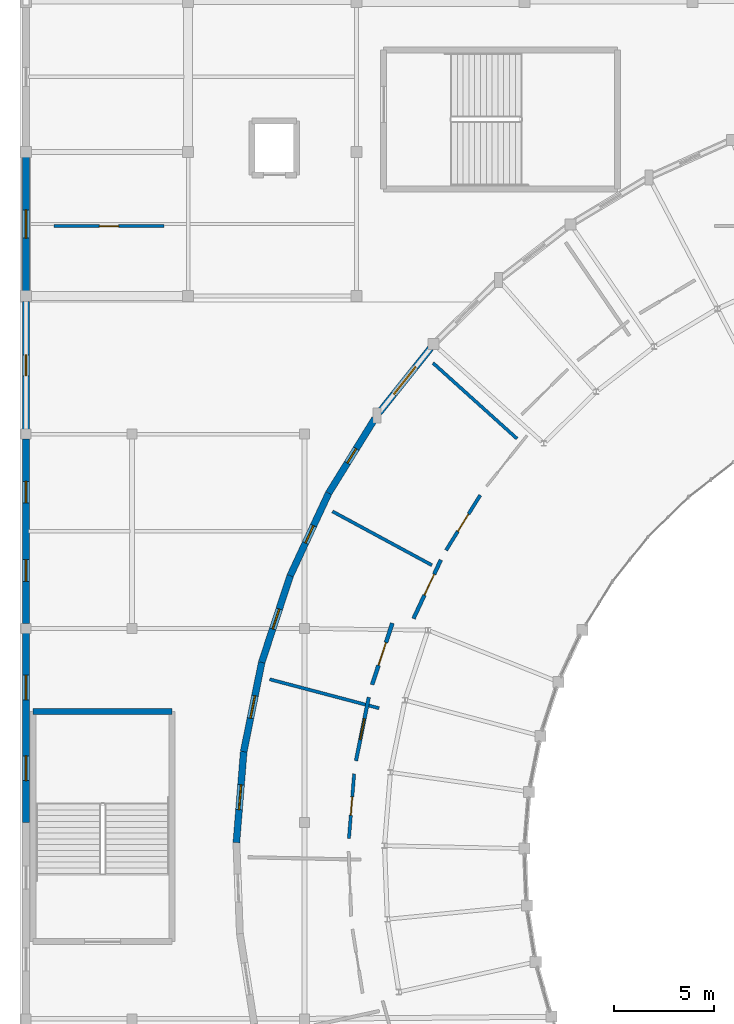
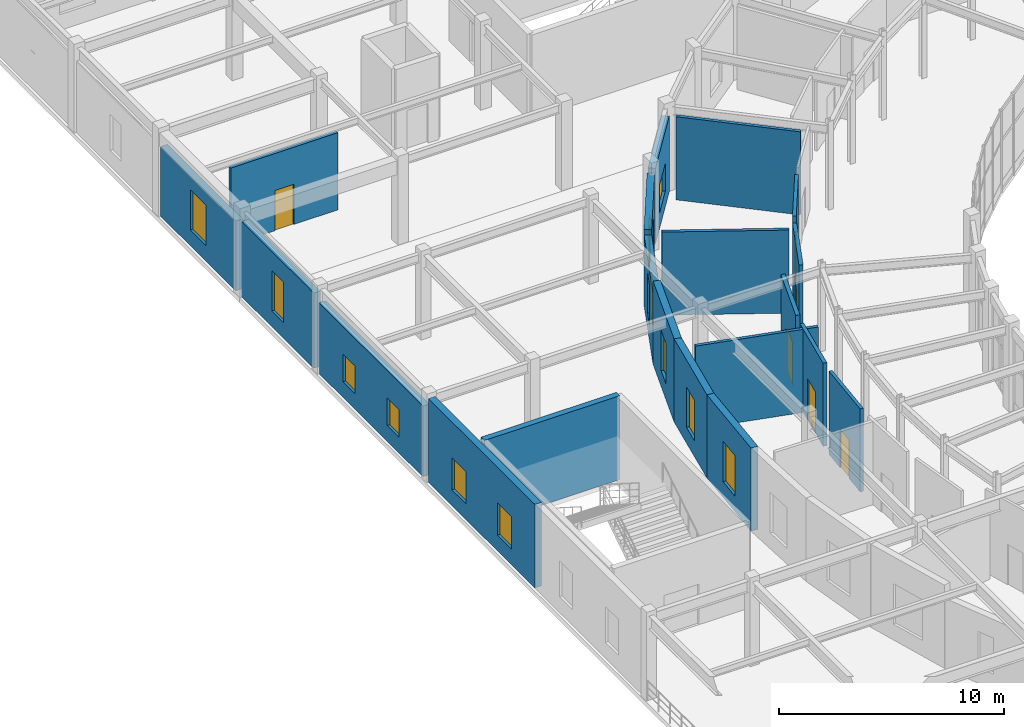
# One storey, part 107 of 144: 20 walls, 12 windows, 6 doors, 18 openings.
"""IFC4 building model written with IfcOpenShell, lengths in metres."""

from ifc_helpers import new_model, si_unit, direction, frame, frame_2d, origin, place, context, subcontext, project, spatial, rectangle, extrude, material, layer, layer_set, type_object, element, fill, save


model = new_model("IFC4")

# Units and contexts
model_context = context("Model", 3, precision=1e-05, world=origin(), true_north=direction((0.0, 1.0)))
body_context = subcontext(model_context, "Body", "Model", "MODEL_VIEW")
ifc_project = project(units=[si_unit("LENGTHUNIT", "METRE"), si_unit("AREAUNIT", "SQUARE_METRE"), si_unit("VOLUMEUNIT", "CUBIC_METRE"), si_unit("PLANEANGLEUNIT", "RADIAN"), si_unit("MASSUNIT", "GRAM", prefix="KILO")], contexts=[model_context])

# Site, building, storey
site_placement = place(None, origin())
site = spatial("IfcSite", under=ifc_project, at=site_placement, CompositionType="ELEMENT")
building_placement = place(site_placement, origin())
building = spatial("IfcBuilding", under=site, at=building_placement, Name="Cinderbank Siding Concert Hall", CompositionType="ELEMENT")
storey_placement = place(building_placement, frame((0.0, 0.0, 5.39990234375)))
storey = spatial("IfcBuildingStorey", under=building, at=storey_placement, Name="L02", CompositionType="ELEMENT", Elevation=5.39990234375)

# Wall
ifc_material_1 = material(Name="Reinforced concrete AS 3600 N50 (50 MPa)", Category="concrete")
ifc_layer_1 = layer(ifc_material_1, 0.300048828125)
ifc_layer_set_1 = layer_set([ifc_layer_1], Name="Reinforced concrete AS 3600 N50 (50 MPa)")
wall_type_1 = type_object("IfcWallType", Name="WL-03 Structural Wall 300mm", PredefinedType="SHEAR", material=ifc_layer_set_1)
wall_1_placement = place(storey_placement, frame((7.4599609375, 75.340087890625, 0.0), z_axis=(0.0, 0.0, 1.0), x_axis=(1.0, 0.0, 0.0)))
element("IfcWall", 1, at=wall_1_placement, inside=storey, type_object=wall_type_1, Name="L02 ST-09 Core Wall FAR", PredefinedType="SHEAR", context=body_context, shape_type="SweptSolid", body=[
    extrude(rectangle(XDim=6.93994140625, YDim=0.300048828125, at=frame_2d((3.469970703125, 0.0))), origin(), (0.0, 0.0, 1.0), 4.550048828125),
])

# Wall, opening, window
ifc_material_2 = material(Name="Clinker clay brickwork masonry AS 3700 (20 MPa)", Category="masonry")
ifc_layer_2 = layer(ifc_material_2, 0.340087890625)
ifc_layer_set_2 = layer_set([ifc_layer_2], Name="Clinker clay brickwork masonry AS 3700 (20 MPa)")
wall_type_2 = type_object("IfcWallType", Name="WL-07 Exterior Wall 340mm", PredefinedType="STANDARD", material=ifc_layer_set_2)
wall_2_placement = place(storey_placement, frame((27.301025390625, 93.491455078125, 0.0), z_axis=(0.0, 0.0, 1.0), x_axis=(-0.623868827064, -0.781529069592, 0.0)))
wall_2 = element("IfcWall", 2, at=wall_2_placement, inside=storey, type_object=wall_type_2, Name="L02 Facade Wall EW-WOUT-L02-06", PredefinedType="STANDARD", context=body_context, shape_type="SweptSolid", body=[
    extrude(rectangle(XDim=4.10986328125, YDim=0.340087890625, at=frame_2d((2.054931640625, 0.0))), origin(), (0.0, 0.0, 1.0), 4.107177734375),
])
opening_1_placement = place(wall_2_placement, frame((1.179931640625, 0.0, 0.85009765625)))
opening_1 = element("IfcOpeningElement", 3, at=opening_1_placement, cuts=wall_2, Name="Opening WN-30", PredefinedType="OPENING", context=body_context, shape_type="SweptSolid", body=[
    extrude(rectangle(XDim=1.75, YDim=1.5, at=frame_2d((0.875, 0.75))), frame((0.0, 0.18212890625, 0.0), z_axis=(0.0, -1.0, 0.0), x_axis=(1.0, 0.0, 0.0)), (0.0, 0.0, 1.0), 0.364013671875),
])
ifc_material_3 = material(Name="Double-glazed laminated acoustic glass", Category="glass")
window_type_1 = type_object("IfcWindowType", Name="WN-30 Acoustic Casement Window 1750x1500", PartitioningType="DOUBLE_PANEL_VERTICAL", PredefinedType="WINDOW", material=ifc_material_3)
window_1_placement = place(opening_1_placement, origin())
window_1 = element("IfcWindow", 4, at=window_1_placement, inside=storey, type_object=window_type_1, Name="L02 Facade Window #16", OverallHeight=1.5, OverallWidth=1.75, PartitioningType="DOUBLE_PANEL_VERTICAL", PredefinedType="WINDOW", context=body_context, shape_type="SweptSolid", body=[
    extrude(rectangle(XDim=1.75, YDim=1.5, at=frame_2d((0.875, 0.75))), frame((0.0, 0.030029296875, 0.0), z_axis=(0.0, -1.0, 0.0), x_axis=(1.0, 0.0, 0.0)), (0.0, 0.0, 1.0), 0.06005859375),
])
fill(opening_1, window_1)

wall_3_placement = place(storey_placement, frame((24.524169921875, 89.977783203125, 0.0), z_axis=(0.0, 0.0, 1.0), x_axis=(-0.526962268349, -0.849888679614, 0.0)))
wall_3 = element("IfcWall", 5, at=wall_3_placement, inside=storey, type_object=wall_type_2, Name="L02 Facade Wall EW-WOUT-L02-07", PredefinedType="STANDARD", context=body_context, shape_type="SweptSolid", body=[
    extrude(rectangle(XDim=4.369873046875, YDim=0.340087890625, at=frame_2d((2.18505859375, 0.0))), origin(), (0.0, 0.0, 1.0), 4.107177734375),
])
opening_2_placement = place(wall_3_placement, frame((1.759765625, 0.0, 0.85009765625)))
opening_2 = element("IfcOpeningElement", 6, at=opening_2_placement, cuts=wall_3, Name="Opening WN-01", PredefinedType="OPENING", context=body_context, shape_type="SweptSolid", body=[
    extrude(rectangle(XDim=0.85009765625, YDim=2.199951171875, at=frame_2d((0.425048828125, 1.10009765625))), frame((0.0, 0.18212890625, 0.0), z_axis=(0.0, -1.0, 0.0), x_axis=(1.0, 0.0, 0.0)), (0.0, 0.0, 1.0), 0.364013671875),
])
window_type_2 = type_object("IfcWindowType", Name="WN-01 Acoustic Casement Window 850x2200", PartitioningType="DOUBLE_PANEL_VERTICAL", PredefinedType="WINDOW", material=ifc_material_3)
window_2_placement = place(opening_2_placement, origin())
window_2 = element("IfcWindow", 7, at=window_2_placement, inside=storey, type_object=window_type_2, Name="L02 Facade Window #17", OverallHeight=2.199951171875, OverallWidth=0.85009765625, PartitioningType="DOUBLE_PANEL_VERTICAL", PredefinedType="WINDOW", context=body_context, shape_type="SweptSolid", body=[
    extrude(rectangle(XDim=0.85009765625, YDim=2.199951171875, at=frame_2d((0.425048828125, 1.10009765625))), frame((0.0, 0.030029296875, 0.0), z_axis=(0.0, -1.0, 0.0), x_axis=(1.0, 0.0, 0.0)), (0.0, 0.0, 1.0), 0.06005859375),
])
fill(opening_2, window_2)

wall_4_placement = place(storey_placement, frame((22.221435546875, 86.263916015625, 0.0), z_axis=(0.0, 0.0, 1.0), x_axis=(-0.422603737243, -0.90631455978, 0.0)))
wall_4 = element("IfcWall", 8, at=wall_4_placement, inside=storey, type_object=wall_type_2, Name="L02 Facade Wall EW-WOUT-L02-08", PredefinedType="STANDARD", context=body_context, shape_type="SweptSolid", body=[
    extrude(rectangle(XDim=4.5546875, YDim=0.340087890625, at=frame_2d((2.27734375, 0.0))), origin(), (0.0, 0.0, 1.0), 3.80712890625),
])
opening_3_placement = place(wall_4_placement, frame((1.802490234375, 0.0, 0.85009765625)))
opening_3 = element("IfcOpeningElement", 9, at=opening_3_placement, cuts=wall_4, Name="Opening WN-02", PredefinedType="OPENING", context=body_context, shape_type="SweptSolid", body=[
    extrude(rectangle(XDim=0.949951171875, YDim=2.199951171875, at=frame_2d((0.47509765625, 1.10009765625))), frame((0.0, 0.18212890625, 0.0), z_axis=(0.0, -1.0, 0.0), x_axis=(1.0, 0.0, 0.0)), (0.0, 0.0, 1.0), 0.364013671875),
])
window_type_3 = type_object("IfcWindowType", Name="WN-02 Acoustic Casement Window 950x2200", PartitioningType="DOUBLE_PANEL_VERTICAL", PredefinedType="WINDOW", material=ifc_material_3)
window_3_placement = place(opening_3_placement, origin())
window_3 = element("IfcWindow", 10, at=window_3_placement, inside=storey, type_object=window_type_3, Name="L02 Facade Window #18", OverallHeight=2.199951171875, OverallWidth=0.949951171875, PartitioningType="DOUBLE_PANEL_VERTICAL", PredefinedType="WINDOW", context=body_context, shape_type="SweptSolid", body=[
    extrude(rectangle(XDim=0.949951171875, YDim=2.199951171875, at=frame_2d((0.47509765625, 1.10009765625))), frame((0.0, 0.030029296875, 0.0), z_axis=(0.0, -1.0, 0.0), x_axis=(1.0, 0.0, 0.0)), (0.0, 0.0, 1.0), 0.06005859375),
])
fill(opening_3, window_3)

wall_5_placement = place(storey_placement, frame((20.296630859375, 82.135986328125, 0.0), z_axis=(0.0, 0.0, 1.0), x_axis=(-0.312333665048, -0.949972463642, 0.0)))
wall_5 = element("IfcWall", 11, at=wall_5_placement, inside=storey, type_object=wall_type_2, Name="L02 Facade Wall EW-WOUT-L02-09", PredefinedType="STANDARD", context=body_context, shape_type="SweptSolid", body=[
    extrude(rectangle(XDim=4.5546875, YDim=0.340087890625, at=frame_2d((2.27734375, 0.0))), origin(), (0.0, 0.0, 1.0), 4.505126953125),
])
opening_4_placement = place(wall_5_placement, frame((1.75244140625, 0.0, 0.85009765625)))
opening_4 = element("IfcOpeningElement", 12, at=opening_4_placement, cuts=wall_5, Name="Opening WN-03", PredefinedType="OPENING", context=body_context, shape_type="SweptSolid", body=[
    extrude(rectangle(XDim=1.050048828125, YDim=2.199951171875, at=frame_2d((0.52490234375, 1.10009765625))), frame((0.0, 0.18212890625, 0.0), z_axis=(0.0, -1.0, 0.0), x_axis=(1.0, 0.0, 0.0)), (0.0, 0.0, 1.0), 0.364013671875),
])
window_type_4 = type_object("IfcWindowType", Name="WN-03 Acoustic Casement Window 1050x2200", PartitioningType="DOUBLE_PANEL_VERTICAL", PredefinedType="WINDOW", material=ifc_material_3)
window_4_placement = place(opening_4_placement, origin())
window_4 = element("IfcWindow", 13, at=window_4_placement, inside=storey, type_object=window_type_4, Name="L02 Facade Window #19", OverallHeight=2.199951171875, OverallWidth=1.050048828125, PartitioningType="DOUBLE_PANEL_VERTICAL", PredefinedType="WINDOW", context=body_context, shape_type="SweptSolid", body=[
    extrude(rectangle(XDim=1.050048828125, YDim=2.199951171875, at=frame_2d((0.52490234375, 1.10009765625))), frame((0.0, 0.030029296875, 0.0), z_axis=(0.0, -1.0, 0.0), x_axis=(1.0, 0.0, 0.0)), (0.0, 0.0, 1.0), 0.06005859375),
])
fill(opening_4, window_4)

wall_6_placement = place(storey_placement, frame((18.8740234375, 77.80908203125, 0.0), z_axis=(0.0, 0.0, 1.0), x_axis=(-0.197682700785, -0.980266060726, 0.0)))
wall_6 = element("IfcWall", 14, at=wall_6_placement, inside=storey, type_object=wall_type_2, Name="L02 Facade Wall EW-WOUT-L02-10", PredefinedType="STANDARD", context=body_context, shape_type="SweptSolid", body=[
    extrude(rectangle(XDim=4.5546875, YDim=0.340087890625, at=frame_2d((2.27734375, 0.0))), origin(), (0.0, 0.0, 1.0), 4.505126953125),
])
opening_5_placement = place(wall_6_placement, frame((1.702392578125, 0.0, 0.85009765625)))
opening_5 = element("IfcOpeningElement", 15, at=opening_5_placement, cuts=wall_6, Name="Opening WN-04", PredefinedType="OPENING", context=body_context, shape_type="SweptSolid", body=[
    extrude(rectangle(XDim=1.14990234375, YDim=2.199951171875, at=frame_2d((0.574951171875, 1.10009765625))), frame((0.0, 0.18212890625, 0.0), z_axis=(0.0, -1.0, 0.0), x_axis=(1.0, 0.0, 0.0)), (0.0, 0.0, 1.0), 0.364013671875),
])
window_type_5 = type_object("IfcWindowType", Name="WN-04 Acoustic Casement Window 1150x2200", PartitioningType="DOUBLE_PANEL_VERTICAL", PredefinedType="WINDOW", material=ifc_material_3)
window_5_placement = place(opening_5_placement, origin())
window_5 = element("IfcWindow", 16, at=window_5_placement, inside=storey, type_object=window_type_5, Name="L02 Facade Window #20", OverallHeight=2.199951171875, OverallWidth=1.14990234375, PartitioningType="DOUBLE_PANEL_VERTICAL", PredefinedType="WINDOW", context=body_context, shape_type="SweptSolid", body=[
    extrude(rectangle(XDim=1.14990234375, YDim=2.199951171875, at=frame_2d((0.574951171875, 1.10009765625))), frame((0.0, 0.030029296875, 0.0), z_axis=(0.0, -1.0, 0.0), x_axis=(1.0, 0.0, 0.0)), (0.0, 0.0, 1.0), 0.06005859375),
])
fill(opening_5, window_5)

wall_7_placement = place(storey_placement, frame((17.9736328125, 73.34423828125, 0.0), z_axis=(0.0, 0.0, 1.0), x_axis=(-0.080188345633, -0.996779729541, 0.0)))
wall_7 = element("IfcWall", 17, at=wall_7_placement, inside=storey, type_object=wall_type_2, Name="L02 Facade Wall EW-WOUT-L02-11", PredefinedType="STANDARD", context=body_context, shape_type="SweptSolid", body=[
    extrude(rectangle(XDim=4.5546875, YDim=0.340087890625, at=frame_2d((2.27734375, 0.0))), origin(), (0.0, 0.0, 1.0), 4.505126953125),
])
opening_6_placement = place(wall_7_placement, frame((1.65234375, 0.0, 0.85009765625)))
opening_6 = element("IfcOpeningElement", 18, at=opening_6_placement, cuts=wall_7, Name="Opening WN-05", PredefinedType="OPENING", context=body_context, shape_type="SweptSolid", body=[
    extrude(rectangle(XDim=1.25, YDim=2.199951171875, at=frame_2d((0.625, 1.10009765625))), frame((0.0, 0.18212890625, 0.0), z_axis=(0.0, -1.0, 0.0), x_axis=(1.0, 0.0, 0.0)), (0.0, 0.0, 1.0), 0.364013671875),
])
window_type_6 = type_object("IfcWindowType", Name="WN-05 Acoustic Casement Window 1250x2200", PartitioningType="DOUBLE_PANEL_VERTICAL", PredefinedType="WINDOW", material=ifc_material_3)
window_6_placement = place(opening_6_placement, origin())
window_6 = element("IfcWindow", 19, at=window_6_placement, inside=storey, type_object=window_type_6, Name="L02 Facade Window #21", OverallHeight=2.199951171875, OverallWidth=1.25, PartitioningType="DOUBLE_PANEL_VERTICAL", PredefinedType="WINDOW", context=body_context, shape_type="SweptSolid", body=[
    extrude(rectangle(XDim=1.25, YDim=2.199951171875, at=frame_2d((0.625, 1.10009765625))), frame((0.0, 0.030029296875, 0.0), z_axis=(0.0, -1.0, 0.0), x_axis=(1.0, 0.0, 0.0)), (0.0, 0.0, 1.0), 0.06005859375),
])
fill(opening_6, window_6)

# Wall, openings, windows
wall_8_placement = place(storey_placement, frame((7.10009765625, 69.800048828125, 0.0), z_axis=(0.0, 0.0, 1.0), x_axis=(0.0, 1.0, 0.0)))
wall_8 = element("IfcWall", 20, at=wall_8_placement, inside=storey, type_object=wall_type_2, Name="L02 Facade Wall EW-WL-W3-L02", PredefinedType="STANDARD", context=body_context, shape_type="SweptSolid", body=[
    extrude(rectangle(XDim=9.46484375, YDim=0.340087890625, at=frame_2d((4.732421875, 0.0))), origin(), (0.0, 0.0, 1.0), 4.53515625),
])
opening_7_placement = place(wall_8_placement, frame((2.09619140625, 0.0, 0.85009765625)))
opening_7 = element("IfcOpeningElement", 21, at=opening_7_placement, cuts=wall_8, Name="Opening WN-20", PredefinedType="OPENING", context=body_context, shape_type="SweptSolid", body=[
    extrude(rectangle(XDim=1.239990234375, YDim=1.75, at=frame_2d((0.6201171875, 0.875))), frame((0.0, 0.18212890625, 0.0), z_axis=(0.0, -1.0, 0.0), x_axis=(1.0, 0.0, 0.0)), (0.0, 0.0, 1.0), 0.364013671875),
])
opening_8_placement = place(wall_8_placement, frame((6.12890625, 0.0, 0.85009765625)))
opening_8 = element("IfcOpeningElement", 22, at=opening_8_placement, cuts=wall_8, Name="Opening WN-20", PredefinedType="OPENING", context=body_context, shape_type="SweptSolid", body=[
    extrude(rectangle(XDim=1.239990234375, YDim=1.75, at=frame_2d((0.6201171875, 0.875))), frame((0.0, 0.18212890625, 0.0), z_axis=(0.0, -1.0, 0.0), x_axis=(1.0, 0.0, 0.0)), (0.0, 0.0, 1.0), 0.364013671875),
])
window_type_7 = type_object("IfcWindowType", Name="WN-20 Acoustic Casement Window 1240x1750", PartitioningType="DOUBLE_PANEL_VERTICAL", PredefinedType="WINDOW", material=ifc_material_3)
window_7_placement = place(opening_7_placement, origin())
window_7 = element("IfcWindow", 23, at=window_7_placement, inside=storey, type_object=window_type_7, Name="L02 Facade Window #98", OverallHeight=1.75, OverallWidth=1.239990234375, PartitioningType="DOUBLE_PANEL_VERTICAL", PredefinedType="WINDOW", context=body_context, shape_type="SweptSolid", body=[
    extrude(rectangle(XDim=1.239990234375, YDim=1.75, at=frame_2d((0.6201171875, 0.875))), frame((0.0, 0.030029296875, 0.0), z_axis=(0.0, -1.0, 0.0), x_axis=(1.0, 0.0, 0.0)), (0.0, 0.0, 1.0), 0.06005859375),
])
fill(opening_7, window_7)
window_8_placement = place(opening_8_placement, origin())
window_8 = element("IfcWindow", 24, at=window_8_placement, inside=storey, type_object=window_type_7, Name="L02 Facade Window #99", OverallHeight=1.75, OverallWidth=1.239990234375, PartitioningType="DOUBLE_PANEL_VERTICAL", PredefinedType="WINDOW", context=body_context, shape_type="SweptSolid", body=[
    extrude(rectangle(XDim=1.239990234375, YDim=1.75, at=frame_2d((0.6201171875, 0.875))), frame((0.0, 0.030029296875, 0.0), z_axis=(0.0, -1.0, 0.0), x_axis=(1.0, 0.0, 0.0)), (0.0, 0.0, 1.0), 0.06005859375),
])
fill(opening_8, window_8)

wall_9_placement = place(storey_placement, frame((7.10009765625, 79.735107421875, 0.0), z_axis=(0.0, 0.0, 1.0), x_axis=(0.0, 1.0, 0.0)))
wall_9 = element("IfcWall", 25, at=wall_9_placement, inside=storey, type_object=wall_type_2, Name="L02 Facade Wall EW-WL-W4-L02", PredefinedType="STANDARD", context=body_context, shape_type="SweptSolid", body=[
    extrude(rectangle(XDim=9.22998046875, YDim=0.340087890625, at=frame_2d((4.614990234375, 0.0))), origin(), (0.0, 0.0, 1.0), 3.837158203125),
])
opening_9_placement = place(wall_9_placement, frame((2.117431640625, 0.0, 0.85009765625)))
opening_9 = element("IfcOpeningElement", 26, at=opening_9_placement, cuts=wall_9, Name="Opening WN-26", PredefinedType="OPENING", context=body_context, shape_type="SweptSolid", body=[
    extrude(rectangle(XDim=1.080078125, YDim=1.5, at=frame_2d((0.5400390625, 0.75))), frame((0.0, 0.18212890625, 0.0), z_axis=(0.0, -1.0, 0.0), x_axis=(1.0, 0.0, 0.0)), (0.0, 0.0, 1.0), 0.364013671875),
])
opening_10_placement = place(wall_9_placement, frame((6.032470703125, 0.0, 0.85009765625)))
opening_10 = element("IfcOpeningElement", 27, at=opening_10_placement, cuts=wall_9, Name="Opening WN-26", PredefinedType="OPENING", context=body_context, shape_type="SweptSolid", body=[
    extrude(rectangle(XDim=1.080078125, YDim=1.5, at=frame_2d((0.5400390625, 0.75))), frame((0.0, 0.18212890625, 0.0), z_axis=(0.0, -1.0, 0.0), x_axis=(1.0, 0.0, 0.0)), (0.0, 0.0, 1.0), 0.364013671875),
])
window_type_8 = type_object("IfcWindowType", Name="WN-26 Acoustic Casement Window 1080x1500", PartitioningType="DOUBLE_PANEL_VERTICAL", PredefinedType="WINDOW", material=ifc_material_3)
window_9_placement = place(opening_9_placement, origin())
window_9 = element("IfcWindow", 28, at=window_9_placement, inside=storey, type_object=window_type_8, Name="L02 Facade Window #104", OverallHeight=1.5, OverallWidth=1.080078125, PartitioningType="DOUBLE_PANEL_VERTICAL", PredefinedType="WINDOW", context=body_context, shape_type="SweptSolid", body=[
    extrude(rectangle(XDim=1.080078125, YDim=1.5, at=frame_2d((0.5400390625, 0.75))), frame((0.0, 0.030029296875, 0.0), z_axis=(0.0, -1.0, 0.0), x_axis=(1.0, 0.0, 0.0)), (0.0, 0.0, 1.0), 0.06005859375),
])
fill(opening_9, window_9)
window_10_placement = place(opening_10_placement, origin())
window_10 = element("IfcWindow", 29, at=window_10_placement, inside=storey, type_object=window_type_8, Name="L02 Facade Window #105", OverallHeight=1.5, OverallWidth=1.080078125, PartitioningType="DOUBLE_PANEL_VERTICAL", PredefinedType="WINDOW", context=body_context, shape_type="SweptSolid", body=[
    extrude(rectangle(XDim=1.080078125, YDim=1.5, at=frame_2d((0.5400390625, 0.75))), frame((0.0, 0.030029296875, 0.0), z_axis=(0.0, -1.0, 0.0), x_axis=(1.0, 0.0, 0.0)), (0.0, 0.0, 1.0), 0.06005859375),
])
fill(opening_10, window_10)

# Wall, opening, window
wall_10_placement = place(storey_placement, frame((7.10009765625, 89.43505859375, 0.0), z_axis=(0.0, 0.0, 1.0), x_axis=(0.0, 1.0, 0.0)))
wall_10 = element("IfcWall", 30, at=wall_10_placement, inside=storey, type_object=wall_type_2, Name="L02 Facade Wall EW-WL-W5-L02", PredefinedType="STANDARD", context=body_context, shape_type="SweptSolid", body=[
    extrude(rectangle(XDim=6.405029296875, YDim=0.340087890625, at=frame_2d((3.20263671875, 0.0))), origin(), (0.0, 0.0, 1.0), 4.07958984375),
])
opening_11_placement = place(wall_10_placement, frame((2.677490234375, 0.0, 0.85009765625)))
opening_11 = element("IfcOpeningElement", 31, at=opening_11_placement, cuts=wall_10, Name="Opening WN-03", PredefinedType="OPENING", context=body_context, shape_type="SweptSolid", body=[
    extrude(rectangle(XDim=1.050048828125, YDim=2.199951171875, at=frame_2d((0.52490234375, 1.10009765625))), frame((0.0, 0.18212890625, 0.0), z_axis=(0.0, -1.0, 0.0), x_axis=(1.0, 0.0, 0.0)), (0.0, 0.0, 1.0), 0.364013671875),
])
window_11_placement = place(opening_11_placement, origin())
window_11 = element("IfcWindow", 32, at=window_11_placement, inside=storey, type_object=window_type_4, Name="L02 Facade Window #111", OverallHeight=2.199951171875, OverallWidth=1.050048828125, PartitioningType="DOUBLE_PANEL_VERTICAL", PredefinedType="WINDOW", context=body_context, shape_type="SweptSolid", body=[
    extrude(rectangle(XDim=1.050048828125, YDim=2.199951171875, at=frame_2d((0.52490234375, 1.10009765625))), frame((0.0, 0.030029296875, 0.0), z_axis=(0.0, -1.0, 0.0), x_axis=(1.0, 0.0, 0.0)), (0.0, 0.0, 1.0), 0.06005859375),
])
fill(opening_11, window_11)

wall_11_placement = place(storey_placement, frame((7.10009765625, 96.360107421875, 0.0), z_axis=(0.0, 0.0, 1.0), x_axis=(0.0, 1.0, 0.0)))
wall_11 = element("IfcWall", 33, at=wall_11_placement, inside=storey, type_object=wall_type_2, Name="L02 Facade Wall EW-NW-W1-L02", PredefinedType="STANDARD", context=body_context, shape_type="SweptSolid", body=[
    extrude(rectangle(XDim=6.679931640625, YDim=0.340087890625, at=frame_2d((3.33984375, 0.0))), origin(), (0.0, 0.0, 1.0), 3.787109375),
])
opening_12_placement = place(wall_11_placement, frame((2.639892578125, 0.0, 0.85009765625)))
opening_12 = element("IfcOpeningElement", 34, at=opening_12_placement, cuts=wall_11, Name="Opening WN-06", PredefinedType="OPENING", context=body_context, shape_type="SweptSolid", body=[
    extrude(rectangle(XDim=1.39990234375, YDim=2.199951171875, at=frame_2d((0.699951171875, 1.10009765625))), frame((0.0, 0.18212890625, 0.0), z_axis=(0.0, -1.0, 0.0), x_axis=(1.0, 0.0, 0.0)), (0.0, 0.0, 1.0), 0.364013671875),
])
window_type_9 = type_object("IfcWindowType", Name="WN-06 Acoustic Casement Window 1400x2200", PartitioningType="DOUBLE_PANEL_VERTICAL", PredefinedType="WINDOW", material=ifc_material_3)
window_12_placement = place(opening_12_placement, origin())
window_12 = element("IfcWindow", 35, at=window_12_placement, inside=storey, type_object=window_type_9, Name="L02 Facade Window #114", OverallHeight=2.199951171875, OverallWidth=1.39990234375, PartitioningType="DOUBLE_PANEL_VERTICAL", PredefinedType="WINDOW", context=body_context, shape_type="SweptSolid", body=[
    extrude(rectangle(XDim=1.39990234375, YDim=2.199951171875, at=frame_2d((0.699951171875, 1.10009765625))), frame((0.0, 0.030029296875, 0.0), z_axis=(0.0, -1.0, 0.0), x_axis=(1.0, 0.0, 0.0)), (0.0, 0.0, 1.0), 0.06005859375),
])
fill(opening_12, window_12)

# Wall, opening, door
ifc_material_4 = material(Name="Acoustic plasterboard on light-gauge steel studs", Category="gypsum")
ifc_layer_3 = layer(ifc_material_4, 0.199951171875)
ifc_layer_set_3 = layer_set([ifc_layer_3], Name="Acoustic plasterboard on light-gauge steel studs")
wall_type_3 = type_object("IfcWallType", Name="WL-12 Interior Wall 200mm", PredefinedType="PARTITIONING", material=ifc_layer_set_3)
wall_12_placement = place(storey_placement, frame((25.398193359375, 79.76513671875, 0.0), z_axis=(0.0, 0.0, 1.0), x_axis=(-0.312310818937, -0.949979974723, 0.0)))
wall_12 = element("IfcWall", 36, at=wall_12_placement, inside=storey, type_object=wall_type_3, Name="L02 Partition Studio Bay W09", PredefinedType="PARTITIONING", context=body_context, shape_type="SweptSolid", body=[
    extrude(rectangle(XDim=3.237060546875, YDim=0.199951171875, at=frame_2d((1.61865234375, 0.0))), origin(), (0.0, 0.0, 1.0), 4.505126953125),
])
opening_13_placement = place(wall_12_placement, frame((1.0185546875, 0.0, 0.0)))
opening_13 = element("IfcOpeningElement", 37, at=opening_13_placement, cuts=wall_12, Name="Opening D-12", PredefinedType="OPENING", context=body_context, shape_type="SweptSolid", body=[
    extrude(rectangle(XDim=1.199951171875, YDim=2.300048828125, at=frame_2d((0.60009765625, 1.14990234375))), frame((0.0, 0.11181640625, 0.0), z_axis=(0.0, -1.0, 0.0), x_axis=(1.0, 0.0, 0.0)), (0.0, 0.0, 1.0), 0.223876953125),
])
ifc_material_5 = material(Name="Solid-core spotted gum acoustic timber", Category="wood")
door_type_1 = type_object("IfcDoorType", Name="D-12 Interior Door 1200x2300", OperationType="NOTDEFINED", PredefinedType="DOOR", material=ifc_material_5)
door_1_placement = place(opening_13_placement, origin())
door_1 = element("IfcDoor", 38, at=door_1_placement, inside=storey, type_object=door_type_1, Name="L02 Studio Bay W09 Door L02-D205", OperationType="SINGLE_SWING_RIGHT", OverallHeight=2.300048828125, OverallWidth=1.199951171875, PredefinedType="DOOR", context=body_context, shape_type="SweptSolid", body=[
    extrude(rectangle(XDim=1.199951171875, YDim=2.300048828125, at=frame_2d((0.60009765625, 1.14990234375))), frame((0.0, 0.02490234375, 0.0), z_axis=(0.0, -1.0, 0.0), x_axis=(1.0, 0.0, 0.0)), (0.0, 0.0, 1.0), 0.050048828125),
])
fill(opening_13, door_1)

ifc_layer_4 = layer(ifc_material_4, 0.179931640625)
ifc_layer_set_4 = layer_set([ifc_layer_4], Name="Acoustic plasterboard on light-gauge steel studs")
wall_type_4 = type_object("IfcWallType", Name="WL-13 Interior Wall 180mm", PredefinedType="PARTITIONING", material=ifc_layer_set_4)
wall_13_placement = place(storey_placement, frame((24.220458984375, 76.058837890625, 0.0), z_axis=(0.0, 0.0, 1.0), x_axis=(-0.197609875313, -0.980280744062, 0.0)))
wall_13 = element("IfcWall", 39, at=wall_13_placement, inside=storey, type_object=wall_type_4, Name="L02 Partition Studio Bay W10", PredefinedType="PARTITIONING", context=body_context, shape_type="SweptSolid", body=[
    extrude(rectangle(XDim=3.23681640625, YDim=0.179931640625, at=frame_2d((1.618408203125, 0.0))), origin(), (0.0, 0.0, 1.0), 4.505126953125),
])
opening_14_placement = place(wall_13_placement, frame((1.08837890625, 0.0, 0.0)))
opening_14 = element("IfcOpeningElement", 40, at=opening_14_placement, cuts=wall_13, Name="Opening D-18", PredefinedType="OPENING", context=body_context, shape_type="SweptSolid", body=[
    extrude(rectangle(XDim=1.06005859375, YDim=2.239990234375, at=frame_2d((0.530029296875, 1.1201171875))), frame((0.0, 0.10205078125, 0.0), z_axis=(0.0, -1.0, 0.0), x_axis=(1.0, 0.0, 0.0)), (0.0, 0.0, 1.0), 0.203857421875),
])
door_type_2 = type_object("IfcDoorType", Name="D-18 Interior Door 1060x2240", OperationType="NOTDEFINED", PredefinedType="DOOR", material=ifc_material_5)
door_2_placement = place(opening_14_placement, origin())
door_2 = element("IfcDoor", 41, at=door_2_placement, inside=storey, type_object=door_type_2, Name="L02 Studio Bay W10 Door L02-D206", OperationType="SINGLE_SWING_LEFT", OverallHeight=2.239990234375, OverallWidth=1.06005859375, PredefinedType="DOOR", context=body_context, shape_type="SweptSolid", body=[
    extrude(rectangle(XDim=1.06005859375, YDim=2.239990234375, at=frame_2d((0.530029296875, 1.1201171875))), frame((0.0, 0.02490234375, 0.0), z_axis=(0.0, -1.0, 0.0), x_axis=(1.0, 0.0, 0.0)), (0.0, 0.0, 1.0), 0.050048828125),
])
fill(opening_14, door_2)

# Walls
ifc_layer_5 = layer(ifc_material_4, 0.159912109375)
ifc_layer_set_5 = layer_set([ifc_layer_5], Name="Acoustic plasterboard on light-gauge steel studs")
wall_type_5 = type_object("IfcWallType", Name="WL-14 Interior Wall 160mm", PredefinedType="PARTITIONING", material=ifc_layer_set_5)
wall_14_placement = place(storey_placement, frame((31.626220703125, 88.977294921875, 0.0), z_axis=(0.0, 0.0, 1.0), x_axis=(-0.743145881682, 0.669129433323, 0.0)))
element("IfcWall", 42, at=wall_14_placement, inside=storey, type_object=wall_type_5, Name="L02 Radial Studio Demising Wall W06", PredefinedType="PARTITIONING", context=body_context, shape_type="SweptSolid", body=[
    extrude(rectangle(XDim=5.650390625, YDim=0.159912109375, at=frame_2d((2.8251953125, 0.0))), origin(), (0.0, 0.0, 1.0), 4.505126953125),
])
wall_15_placement = place(storey_placement, frame((27.376953125, 82.657958984375, 0.0), z_axis=(0.0, 0.0, 1.0), x_axis=(-0.879658145698, 0.475606504062, 0.0)))
element("IfcWall", 43, at=wall_15_placement, inside=storey, type_object=wall_type_5, Name="L02 Radial Studio Demising Wall W08", PredefinedType="PARTITIONING", context=body_context, shape_type="SweptSolid", body=[
    extrude(rectangle(XDim=5.650146484375, YDim=0.159912109375, at=frame_2d((2.8251953125, 0.0))), origin(), (0.0, 0.0, 1.0), 4.505126953125),
])
wall_16_placement = place(storey_placement, frame((24.732666015625, 75.516357421875, 0.0), z_axis=(0.0, 0.0, 1.0), x_axis=(-0.966817687277, 0.255467335621, 0.0)))
element("IfcWall", 44, at=wall_16_placement, inside=storey, type_object=wall_type_5, Name="L02 Radial Studio Demising Wall W10", PredefinedType="PARTITIONING", context=body_context, shape_type="SweptSolid", body=[
    extrude(rectangle(XDim=5.64990234375, YDim=0.159912109375, at=frame_2d((2.824951171875, 0.0))), origin(), (0.0, 0.0, 1.0), 4.505126953125),
])

# Wall, opening, door
wall_17_placement = place(storey_placement, frame((23.489990234375, 72.239501953125, 0.0), z_axis=(0.0, 0.0, 1.0), x_axis=(-0.080248823667, -0.996774862394, 0.0)))
wall_17 = element("IfcWall", 45, at=wall_17_placement, inside=storey, type_object=wall_type_5, Name="L02 Partition Studio Bay W11", PredefinedType="PARTITIONING", context=body_context, shape_type="SweptSolid", body=[
    extrude(rectangle(XDim=3.237060546875, YDim=0.159912109375, at=frame_2d((1.61865234375, 0.0))), origin(), (0.0, 0.0, 1.0), 4.505126953125),
])
opening_15_placement = place(wall_17_placement, frame((1.158447265625, 0.0, 0.0)))
opening_15 = element("IfcOpeningElement", 46, at=opening_15_placement, cuts=wall_17, Name="Opening D-09", PredefinedType="OPENING", context=body_context, shape_type="SweptSolid", body=[
    extrude(rectangle(XDim=0.919921875, YDim=2.10009765625, at=frame_2d((0.4599609375, 1.050048828125))), frame((0.0, 0.091796875, 0.0), z_axis=(0.0, -1.0, 0.0), x_axis=(1.0, 0.0, 0.0)), (0.0, 0.0, 1.0), 0.183837890625),
])
door_type_3 = type_object("IfcDoorType", Name="D-09 Interior Door 920x2100", OperationType="NOTDEFINED", PredefinedType="DOOR", material=ifc_material_5)
door_3_placement = place(opening_15_placement, origin())
door_3 = element("IfcDoor", 47, at=door_3_placement, inside=storey, type_object=door_type_3, Name="L02 Studio Bay W11 Door L02-D207", OperationType="SINGLE_SWING_RIGHT", OverallHeight=2.10009765625, OverallWidth=0.919921875, PredefinedType="DOOR", context=body_context, shape_type="SweptSolid", body=[
    extrude(rectangle(XDim=0.919921875, YDim=2.10009765625, at=frame_2d((0.4599609375, 1.050048828125))), frame((0.0, 0.02490234375, 0.0), z_axis=(0.0, -1.0, 0.0), x_axis=(1.0, 0.0, 0.0)), (0.0, 0.0, 1.0), 0.050048828125),
])
fill(opening_15, door_3)

ifc_layer_6 = layer(ifc_material_4, 0.14990234375)
ifc_layer_set_6 = layer_set([ifc_layer_6], Name="Acoustic plasterboard on light-gauge steel studs")
wall_type_6 = type_object("IfcWallType", Name="WL-15 Interior Wall 150mm", PredefinedType="PARTITIONING", material=ifc_layer_set_6)
wall_18_placement = place(storey_placement, frame((8.5, 99.60009765625, 0.0), z_axis=(0.0, 0.0, 1.0), x_axis=(1.0, 0.0, 0.0)))
wall_18 = element("IfcWall", 48, at=wall_18_placement, inside=storey, type_object=wall_type_6, Name="L02 Partition Principal Dressing Suite 1", PredefinedType="PARTITIONING", context=body_context, shape_type="SweptSolid", body=[
    extrude(rectangle(XDim=5.5, YDim=0.14990234375, at=frame_2d((2.75, 0.0))), origin(), (0.0, 0.0, 1.0), 4.18505859375),
])
opening_16_placement = place(wall_18_placement, frame((2.27001953125, 0.0, 0.0)))
opening_16 = element("IfcOpeningElement", 49, at=opening_16_placement, cuts=wall_18, Name="Opening D-16", PredefinedType="OPENING", context=body_context, shape_type="SweptSolid", body=[
    extrude(rectangle(XDim=0.9599609375, YDim=2.179931640625, at=frame_2d((0.47998046875, 1.08984375))), frame((0.0, 0.0869140625, 0.0), z_axis=(0.0, -1.0, 0.0), x_axis=(1.0, 0.0, 0.0)), (0.0, 0.0, 1.0), 0.173828125),
])
door_type_4 = type_object("IfcDoorType", Name="D-16 Interior Door 960x2180", OperationType="NOTDEFINED", PredefinedType="DOOR", material=ifc_material_5)
door_4_placement = place(opening_16_placement, origin())
door_4 = element("IfcDoor", 50, at=door_4_placement, inside=storey, type_object=door_type_4, Name="L02 Principal Dressing Suite 1 Door L02-D262", OperationType="SINGLE_SWING_RIGHT", OverallHeight=2.179931640625, OverallWidth=0.9599609375, PredefinedType="DOOR", context=body_context, shape_type="SweptSolid", body=[
    extrude(rectangle(XDim=0.9599609375, YDim=2.179931640625, at=frame_2d((0.47998046875, 1.08984375))), frame((0.0, 0.02490234375, 0.0), z_axis=(0.0, -1.0, 0.0), x_axis=(1.0, 0.0, 0.0)), (0.0, 0.0, 1.0), 0.050048828125),
])
fill(opening_16, door_4)

ifc_layer_7 = layer(ifc_material_4, 0.169921875)
ifc_layer_set_7 = layer_set([ifc_layer_7], Name="Acoustic plasterboard on light-gauge steel studs")
wall_type_7 = type_object("IfcWallType", Name="WL-19 Interior Wall 170mm", PredefinedType="PARTITIONING", material=ifc_layer_set_7)
wall_19_placement = place(storey_placement, frame((29.78759765625, 86.15673828125, 0.0), z_axis=(0.0, 0.0, 1.0), x_axis=(-0.526951653894, -0.849895260875, 0.0)))
wall_19 = element("IfcWall", 51, at=wall_19_placement, inside=storey, type_object=wall_type_7, Name="L02 Partition Studio Bay W07", PredefinedType="PARTITIONING", context=body_context, shape_type="SweptSolid", body=[
    extrude(rectangle(XDim=3.237060546875, YDim=0.169921875, at=frame_2d((1.61865234375, 0.0))), origin(), (0.0, 0.0, 1.0), 4.505126953125),
])
opening_17_placement = place(wall_19_placement, frame((1.1083984375, 0.0, 0.0)))
opening_17 = element("IfcOpeningElement", 52, at=opening_17_placement, cuts=wall_19, Name="Opening D-17", PredefinedType="OPENING", context=body_context, shape_type="SweptSolid", body=[
    extrude(rectangle(XDim=1.02001953125, YDim=2.219970703125, at=frame_2d((0.510009765625, 1.10986328125))), frame((0.0, 0.096923828125, 0.0), z_axis=(0.0, -1.0, 0.0), x_axis=(1.0, 0.0, 0.0)), (0.0, 0.0, 1.0), 0.19384765625),
])
door_type_5 = type_object("IfcDoorType", Name="D-17 Interior Door 1020x2220", OperationType="NOTDEFINED", PredefinedType="DOOR", material=ifc_material_5)
door_5_placement = place(opening_17_placement, origin())
door_5 = element("IfcDoor", 53, at=door_5_placement, inside=storey, type_object=door_type_5, Name="L02 Studio Bay W07 Door L02-D203", OperationType="SINGLE_SWING_RIGHT", OverallHeight=2.219970703125, OverallWidth=1.02001953125, PredefinedType="DOOR", context=body_context, shape_type="SweptSolid", body=[
    extrude(rectangle(XDim=1.02001953125, YDim=2.219970703125, at=frame_2d((0.510009765625, 1.10986328125))), frame((0.0, 0.02490234375, 0.0), z_axis=(0.0, -1.0, 0.0), x_axis=(1.0, 0.0, 0.0)), (0.0, 0.0, 1.0), 0.050048828125),
])
fill(opening_17, door_5)

ifc_layer_8 = layer(ifc_material_4, 0.18994140625)
ifc_layer_set_8 = layer_set([ifc_layer_8], Name="Acoustic plasterboard on light-gauge steel studs")
wall_type_8 = type_object("IfcWallType", Name="WL-20 Interior Wall 190mm", PredefinedType="PARTITIONING", material=ifc_layer_set_8)
wall_20_placement = place(storey_placement, frame((27.822265625, 82.92529296875, 0.0), z_axis=(0.0, 0.0, 1.0), x_axis=(-0.422670745522, -0.906283311597, 0.0)))
wall_20 = element("IfcWall", 54, at=wall_20_placement, inside=storey, type_object=wall_type_8, Name="L02 Partition Studio Bay W08", PredefinedType="PARTITIONING", context=body_context, shape_type="SweptSolid", body=[
    extrude(rectangle(XDim=3.237060546875, YDim=0.18994140625, at=frame_2d((1.61865234375, 0.0))), origin(), (0.0, 0.0, 1.0), 4.505126953125),
])
opening_18_placement = place(wall_20_placement, frame((0.79345703125, 0.0, 0.0)))
opening_18 = element("IfcOpeningElement", 55, at=opening_18_placement, cuts=wall_20, Name="Opening D-11", PredefinedType="OPENING", context=body_context, shape_type="SweptSolid", body=[
    extrude(rectangle(XDim=1.14990234375, YDim=2.25, at=frame_2d((0.574951171875, 1.125))), frame((0.0, 0.10693359375, 0.0), z_axis=(0.0, -1.0, 0.0), x_axis=(1.0, 0.0, 0.0)), (0.0, 0.0, 1.0), 0.2138671875),
])
door_type_6 = type_object("IfcDoorType", Name="D-11 Interior Door 1150x2250", OperationType="NOTDEFINED", PredefinedType="DOOR", material=ifc_material_5)
door_6_placement = place(opening_18_placement, origin())
door_6 = element("IfcDoor", 56, at=door_6_placement, inside=storey, type_object=door_type_6, Name="L02 Studio Bay W08 Door L02-D204", OperationType="SINGLE_SWING_LEFT", OverallHeight=2.25, OverallWidth=1.14990234375, PredefinedType="DOOR", context=body_context, shape_type="SweptSolid", body=[
    extrude(rectangle(XDim=1.14990234375, YDim=2.25, at=frame_2d((0.574951171875, 1.125))), frame((0.0, 0.02490234375, 0.0), z_axis=(0.0, -1.0, 0.0), x_axis=(1.0, 0.0, 0.0)), (0.0, 0.0, 1.0), 0.050048828125),
])
fill(opening_18, door_6)

save(model, "model.ifc")
